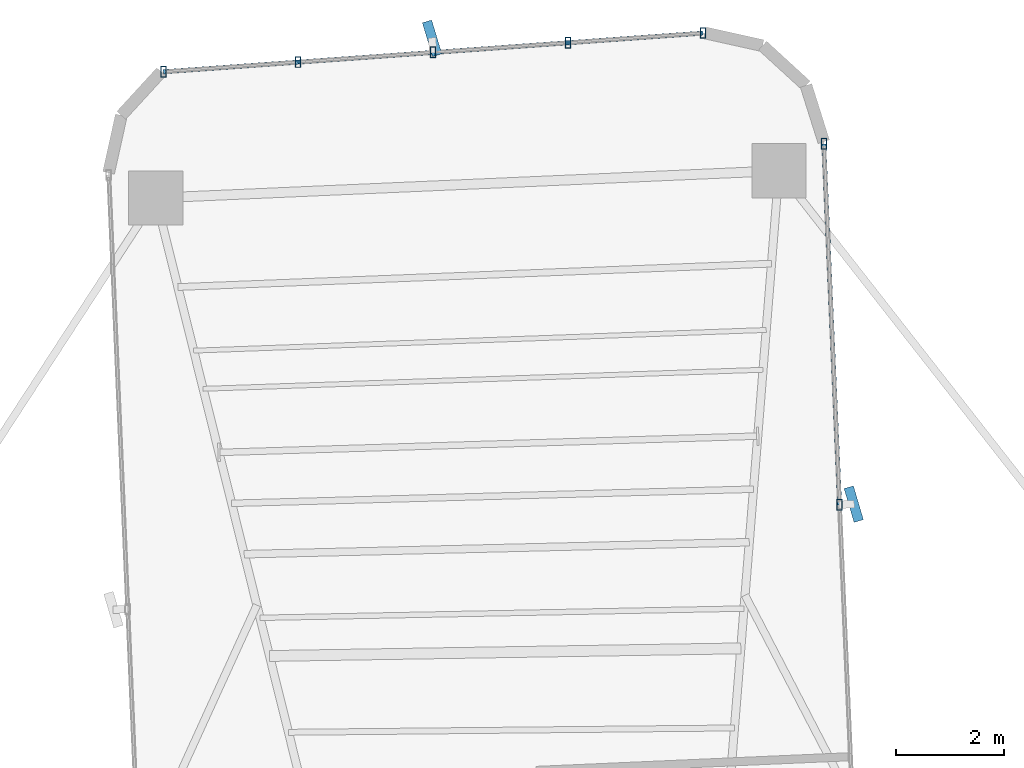
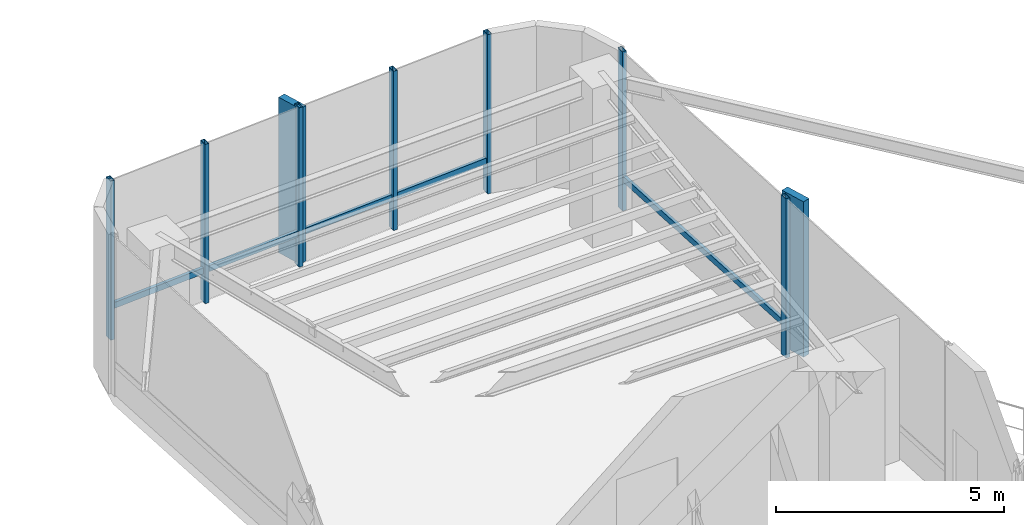
# One storey, part 13 of 23: 14 members, 2 elements without a shape of their own.
"""IFC4 building model written with IfcOpenShell, lengths in metres."""

from ifc_helpers import new_model, si_unit, direction, frame, origin, origin_2d, place, context, subcontext, project, spatial, rectangle, hollow_rectangle, extrude, source, transform, mapped, material, material_profile, profile_set, type_object, element, aggregate, save


model = new_model("IFC4")

# Units and contexts
model_context = context("Model", 3, precision=1e-05, world=origin(), true_north=direction((0.0, 1.0)))
body_context = subcontext(model_context, "Body", "Model", "MODEL_VIEW")
ifc_project = project(units=[si_unit("LENGTHUNIT", "METRE"), si_unit("AREAUNIT", "SQUARE_METRE"), si_unit("VOLUMEUNIT", "CUBIC_METRE"), si_unit("PLANEANGLEUNIT", "RADIAN"), si_unit("MASSUNIT", "GRAM", prefix="KILO")], contexts=[model_context])

# Site, building, storey
site_placement = place(None, origin())
site = spatial("IfcSite", under=ifc_project, at=site_placement, CompositionType="ELEMENT")
building_placement = place(site_placement, origin())
building = spatial("IfcBuilding", under=site, at=building_placement, Name="Sahyath Konkavel Grand Hotel", CompositionType="ELEMENT")
storey_placement = place(building_placement, frame((0.0, 0.0, 106.949951171875)))
storey = spatial("IfcBuildingStorey", under=building, at=storey_placement, Name="L29", CompositionType="ELEMENT", Elevation=106.949951171875)

# Curtain wall, members
ifc_material_1 = material(Name="Anodised Bronze Aluminium & Low-E Glazing", Category="aluminium")
curtain_wall_type = type_object("IfcCurtainWallType", Name="CW-SKYLOBBY", PredefinedType="NOTDEFINED", material=ifc_material_1)
curtain_wall_1_placement = place(storey_placement, origin())
curtain_wall_1 = element("IfcCurtainWall", 1, at=curtain_wall_1_placement, inside=storey, type_object=curtain_wall_type, Name="L29 Unitised Curtain Wall F8", PredefinedType="NOTDEFINED")
ifc_material_2 = material(Name="Anodised Bronze Aluminium", Category="aluminium")
ifc_material_profile_1 = material_profile(ifc_material_2, hollow_rectangle(XDim=0.10009765625, YDim=0.199951171875, WallThickness=0.008056640625, at=origin_2d()), Name="RHS 200x100x8")
ifc_profile_set_1 = profile_set([ifc_material_profile_1], Name="Anodised Bronze Aluminium")
member_type_1 = type_object("IfcMemberType", Name="CW-MUL-200", PredefinedType="MULLION", material=ifc_profile_set_1)
shared_shape_1 = source(origin(), body_context, "Body", "SweptSolid", [
    extrude(hollow_rectangle(XDim=0.10009765625, YDim=0.199951171875, WallThickness=0.008056640625, at=origin_2d()), origin(), (0.0, 0.0, 1.0), 4.260009765625),
])
member_1_placement = place(storey_placement, frame((5.895751953125, 16.272705078125, 0.0), z_axis=(0.0, 0.0, 1.0), x_axis=(1.0, 0.0, 0.0)))
member_1 = element("IfcMember", 2, at=member_1_placement, type_object=member_type_1, Name="L29 Curtain Wall Mullion F8-1", PredefinedType="MULLION", context=body_context, shape_type="MappedRepresentation", body=[
    mapped(shared_shape_1, transform((0.0, 0.0, 0.0), scale=1.0)),
])
member_2_placement = place(storey_placement, frame((5.605224609375, 22.92626953125, 0.0), z_axis=(0.0, 0.0, 1.0), x_axis=(1.0, 0.0, 0.0)))
member_2 = element("IfcMember", 3, at=member_2_placement, type_object=member_type_1, Name="L29 Curtain Wall Mullion F8-2", PredefinedType="MULLION", context=body_context, shape_type="MappedRepresentation", body=[
    mapped(shared_shape_1, transform((0.0, 0.0, 0.0), scale=1.0)),
])

curtain_wall_2_placement = place(storey_placement, origin())
curtain_wall_2 = element("IfcCurtainWall", 4, at=curtain_wall_2_placement, inside=storey, type_object=curtain_wall_type, Name="L29 Unitised Curtain Wall F12", PredefinedType="NOTDEFINED")
member_3_placement = place(storey_placement, frame((3.3740234375, 24.9697265625, 0.0), z_axis=(0.0, 0.0, 1.0), x_axis=(1.0, 0.0, 0.0)))
member_3 = element("IfcMember", 5, at=member_3_placement, type_object=member_type_1, Name="L29 Curtain Wall Mullion F12-0", PredefinedType="MULLION", context=body_context, shape_type="MappedRepresentation", body=[
    mapped(shared_shape_1, transform((0.0, 0.0, 0.0), scale=1.0)),
])
member_4_placement = place(storey_placement, frame((0.886962890625, 24.79150390625, 0.0), z_axis=(0.0, 0.0, 1.0), x_axis=(1.0, 0.0, 0.0)))
member_4 = element("IfcMember", 6, at=member_4_placement, type_object=member_type_1, Name="L29 Curtain Wall Mullion F12-1", PredefinedType="MULLION", context=body_context, shape_type="MappedRepresentation", body=[
    mapped(shared_shape_1, transform((0.0, 0.0, 0.0), scale=1.0)),
])
member_5_placement = place(storey_placement, frame((-1.60009765625, 24.61279296875, 0.0), z_axis=(0.0, 0.0, 1.0), x_axis=(1.0, 0.0, 0.0)))
member_5 = element("IfcMember", 7, at=member_5_placement, type_object=member_type_1, Name="L29 Curtain Wall Mullion F12-2", PredefinedType="MULLION", context=body_context, shape_type="MappedRepresentation", body=[
    mapped(shared_shape_1, transform((0.0, 0.0, 0.0), scale=1.0)),
])
member_6_placement = place(storey_placement, frame((-4.087158203125, 24.4345703125, 0.0), z_axis=(0.0, 0.0, 1.0), x_axis=(1.0, 0.0, 0.0)))
member_6 = element("IfcMember", 8, at=member_6_placement, type_object=member_type_1, Name="L29 Curtain Wall Mullion F12-3", PredefinedType="MULLION", context=body_context, shape_type="MappedRepresentation", body=[
    mapped(shared_shape_1, transform((0.0, 0.0, 0.0), scale=1.0)),
])
member_7_placement = place(storey_placement, frame((-6.57421875, 24.256103515625, 0.0), z_axis=(0.0, 0.0, 1.0), x_axis=(1.0, 0.0, 0.0)))
member_7 = element("IfcMember", 9, at=member_7_placement, type_object=member_type_1, Name="L29 Curtain Wall Mullion F12-4", PredefinedType="MULLION", context=body_context, shape_type="MappedRepresentation", body=[
    mapped(shared_shape_1, transform((0.0, 0.0, 0.0), scale=1.0)),
])

# Member
ifc_material_3 = material(Name="Warm Buff Sandstone Cladding on Concrete C50/60", Category="masonry")
ifc_material_profile_2 = material_profile(ifc_material_3, rectangle(XDim=0.179931640625, YDim=0.64990234375, at=origin_2d()), Name="FIN 180x650")
ifc_profile_set_2 = profile_set([ifc_material_profile_2], Name="Warm Buff Sandstone Cladding on Concrete C50/60")
member_type_2 = type_object("IfcMemberType", Name="FIN-SANDSTONE-650", PredefinedType="MULLION", material=ifc_profile_set_2)
shared_shape_2 = source(origin(), body_context, "Body", "SweptSolid", [
    extrude(rectangle(XDim=0.179931640625, YDim=0.64990234375, at=origin_2d()), origin(), (0.0, 0.0, 1.0), 4.159912109375),
])
member_8_placement = place(storey_placement, frame((6.155517578125, 16.283935546875, 0.050048828125), z_axis=(0.0, 0.0, 1.0), x_axis=(0.958720536398, 0.28435001862, 0.0)))
member_8 = element("IfcMember", 10, at=member_8_placement, type_object=member_type_2, Name="L29 Sandstone Vertical Solar Fin FIN F8-1", PredefinedType="MULLION", context=body_context, shape_type="MappedRepresentation", body=[
    mapped(shared_shape_2, transform((0.0, 0.0, 0.0), scale=1.0)),
])

member_9_placement = place(storey_placement, frame((-1.61865234375, 24.872314453125, 0.050048828125), z_axis=(0.0, 0.0, 1.0), x_axis=(0.957621645958, 0.288029136015, 0.0)))
member_9 = element("IfcMember", 11, at=member_9_placement, type_object=member_type_2, Name="L29 Sandstone Vertical Solar Fin FIN F12-2", PredefinedType="MULLION", context=body_context, shape_type="MappedRepresentation", body=[
    mapped(shared_shape_2, transform((0.0, 0.0, 0.0), scale=1.0)),
])

ifc_material_profile_3 = material_profile(ifc_material_2, hollow_rectangle(XDim=0.080078125, YDim=0.159912109375, WallThickness=0.006103515625, at=origin_2d()), Name="RHS 160x80x6")
ifc_profile_set_3 = profile_set([ifc_material_profile_3], Name="Anodised Bronze Aluminium")
member_type_3 = type_object("IfcMemberType", Name="CW-TRN-160", PredefinedType="USERDEFINED", material=ifc_profile_set_3)
shared_shape_3 = source(origin(), body_context, "Body", "SweptSolid", [
    extrude(hollow_rectangle(XDim=0.080078125, YDim=0.159912109375, WallThickness=0.006103515625, at=origin_2d()), origin(), (0.0, 0.0, 1.0), 2.493408203125),
])
member_10_placement = place(storey_placement, frame((3.3740234375, 24.9697265625, 0.85009765625), z_axis=(-0.997442271688, -0.071476672066, 0.0), x_axis=(0.071476672066, -0.997442271688, 0.0)))
member_10 = element("IfcMember", 12, at=member_10_placement, type_object=member_type_3, Name="L29 Curtain Wall Transom F12-0-spandrel", ObjectType="TRANSOM", PredefinedType="USERDEFINED", context=body_context, shape_type="MappedRepresentation", body=[
    mapped(shared_shape_3, transform((0.0, 0.0, 0.0), scale=1.0)),
])

member_11_placement = place(storey_placement, frame((0.886962890625, 24.79150390625, 0.85009765625), z_axis=(-0.997428291631, -0.071671494009, 0.0), x_axis=(0.071671494009, -0.997428291631, 0.0)))
member_11 = element("IfcMember", 13, at=member_11_placement, type_object=member_type_3, Name="L29 Curtain Wall Transom F12-1-spandrel", ObjectType="TRANSOM", PredefinedType="USERDEFINED", context=body_context, shape_type="MappedRepresentation", body=[
    mapped(shared_shape_3, transform((0.0, 0.0, 0.0), scale=1.0)),
])

member_12_placement = place(storey_placement, frame((-1.60009765625, 24.61279296875, 0.85009765625), z_axis=(-0.997442271688, -0.071476672066, 0.0), x_axis=(0.071476672066, -0.997442271688, 0.0)))
member_12 = element("IfcMember", 14, at=member_12_placement, type_object=member_type_3, Name="L29 Curtain Wall Transom F12-2-spandrel", ObjectType="TRANSOM", PredefinedType="USERDEFINED", context=body_context, shape_type="MappedRepresentation", body=[
    mapped(shared_shape_3, transform((0.0, 0.0, 0.0), scale=1.0)),
])

member_13_placement = place(storey_placement, frame((-4.087158203125, 24.4345703125, 0.85009765625), z_axis=(-0.997435286367, -0.071574084062, 0.0), x_axis=(0.071574084062, -0.997435286367, 0.0)))
member_13 = element("IfcMember", 15, at=member_13_placement, type_object=member_type_3, Name="L29 Curtain Wall Transom F12-3-spandrel", ObjectType="TRANSOM", PredefinedType="USERDEFINED", context=body_context, shape_type="MappedRepresentation", body=[
    mapped(shared_shape_3, transform((0.0, 0.0, 0.0), scale=1.0)),
])

aggregate(curtain_wall_2, [member_3, member_4, member_5, member_9, member_6, member_7, member_10, member_11, member_12, member_13])

shared_shape_4 = source(origin(), body_context, "Body", "SweptSolid", [
    extrude(hollow_rectangle(XDim=0.080078125, YDim=0.159912109375, WallThickness=0.006103515625, at=origin_2d()), origin(), (0.0, 0.0, 1.0), 6.659912109375),
])
member_14_placement = place(storey_placement, frame((5.895751953125, 16.272705078125, 0.85009765625), z_axis=(-0.043623350741, 0.999048048529, 0.0), x_axis=(-0.999048048529, -0.043623350741, 0.0)))
member_14 = element("IfcMember", 16, at=member_14_placement, type_object=member_type_3, Name="L29 Curtain Wall Transom F8-1-spandrel", ObjectType="TRANSOM", PredefinedType="USERDEFINED", context=body_context, shape_type="MappedRepresentation", body=[
    mapped(shared_shape_4, transform((0.0, 0.0, 0.0), scale=1.0)),
])

aggregate(curtain_wall_1, [member_1, member_8, member_2, member_14])

save(model, "model.ifc")
